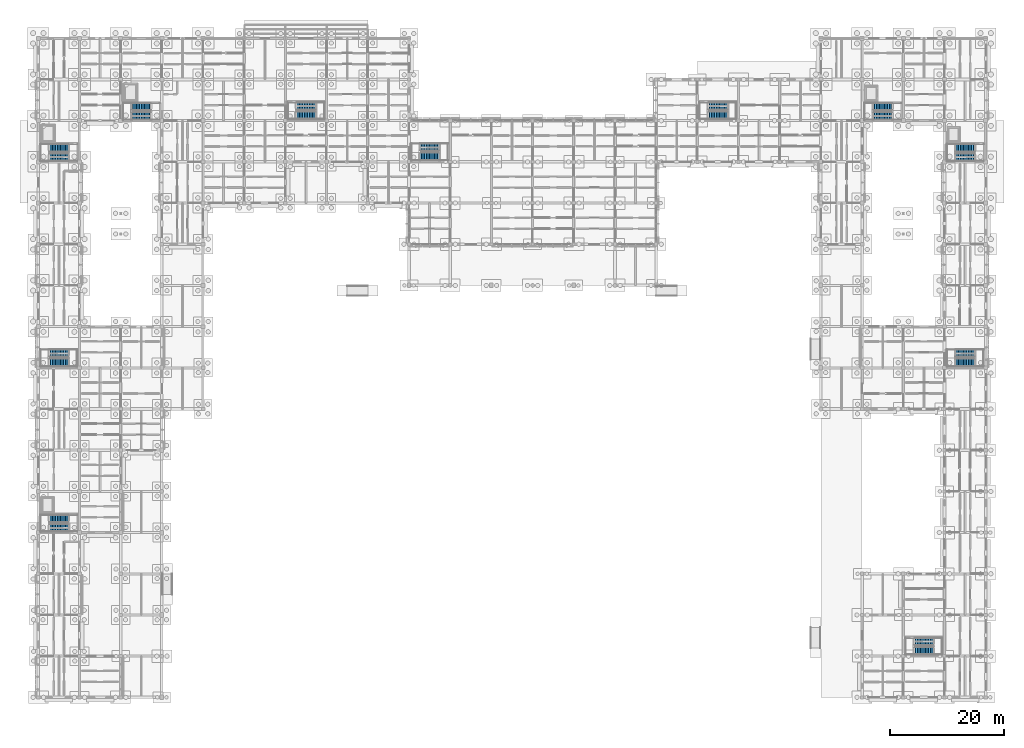
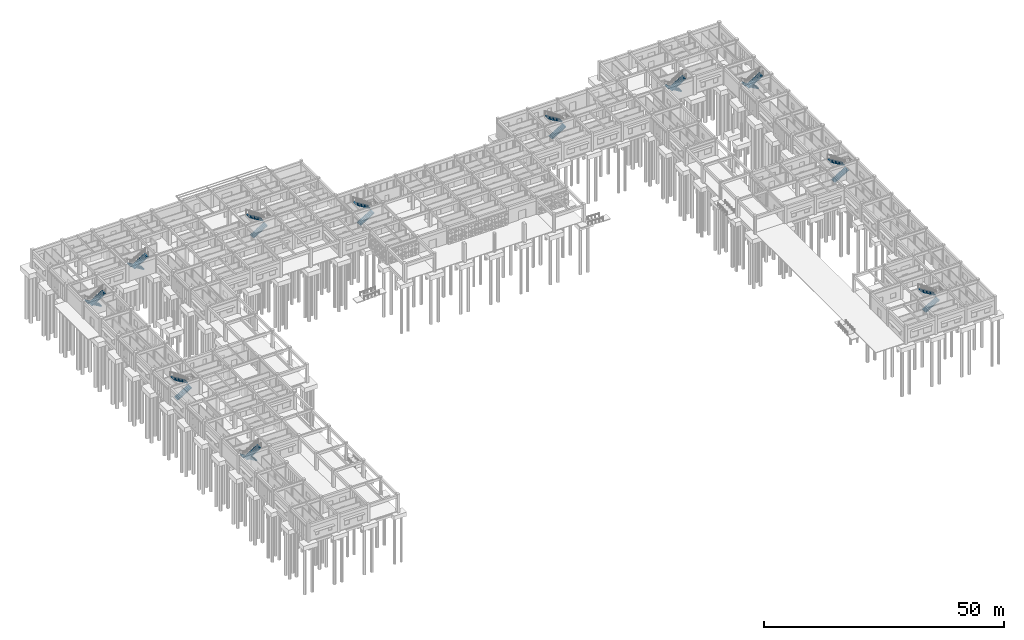
# One storey, part 85 of 111: 22 stair flights, 11 elements without a shape of their own.
"""IFC4 building model written with IfcOpenShell, lengths in metres."""

from ifc_helpers import new_model, si_unit, direction, frame, origin, place, context, subcontext, project, spatial, polyline, outline, extrude, material, type_object, element, aggregate, save


model = new_model("IFC4")

# Units and contexts
model_context = context("Model", 3, precision=1e-05, world=origin(), true_north=direction((0.0, 1.0)))
body_context = subcontext(model_context, "Body", "Model", "MODEL_VIEW")
ifc_project = project(units=[si_unit("LENGTHUNIT", "METRE"), si_unit("AREAUNIT", "SQUARE_METRE"), si_unit("VOLUMEUNIT", "CUBIC_METRE"), si_unit("PLANEANGLEUNIT", "RADIAN"), si_unit("MASSUNIT", "GRAM", prefix="KILO")], contexts=[model_context])

# Site, building, storey
site_placement = place(None, origin())
site = spatial("IfcSite", under=ifc_project, at=site_placement, CompositionType="ELEMENT")
building_placement = place(site_placement, origin())
building = spatial("IfcBuilding", under=site, at=building_placement, Name="Aldebral Square Health Centre", CompositionType="ELEMENT")
storey_placement = place(building_placement, origin())
storey = spatial("IfcBuildingStorey", under=building, at=storey_placement, Name="L00", CompositionType="ELEMENT", Elevation=0.0)

# Stair, stair flights
ifc_material = material(Name="Concrete C35/45", Category="concrete")
stair_type = type_object("IfcStairType", Name="ST-DOG-140", PredefinedType="HALF_TURN_STAIR", material=ifc_material)
stair_1_placement = place(storey_placement, origin())
stair_1 = element("IfcStair", 1, at=stair_1_placement, inside=storey, type_object=stair_type, Name="L00 ST-01", PredefinedType="HALF_TURN_STAIR")
stair_flight_type = type_object("IfcStairFlightType", Name="STF-DOG-140", PredefinedType="STRAIGHT", material=ifc_material)
stair_flight_1_placement = place(storey_placement, frame((5.320068359375, 96.02001953125, 0.0), z_axis=(0.0, 0.0, 1.0), x_axis=(-1.0, 0.0, 0.0)))
stair_flight_1 = element("IfcStairFlight", 2, at=stair_flight_1_placement, type_object=stair_flight_type, Name="ST-01 flight 1", NumberOfRisers=13, NumberOfTreads=12, PredefinedType="STRAIGHT", RiserHeight=0.173076923, TreadLength=0.285, context=body_context, shape_type="SweptSolid", body=[
    extrude(outline(polyline([(0.0, 0.0), (0.0, 0.173095703125), (0.284912109375, 0.173095703125), (0.284912109375, 0.34619140625), (0.570068359375, 0.34619140625), (0.570068359375, 0.519287109375), (0.85498046875, 0.519287109375), (0.85498046875, 0.6923828125), (1.139892578125, 0.6923828125), (1.139892578125, 0.865478515625), (1.425048828125, 0.865478515625), (1.425048828125, 1.03857421875), (1.7099609375, 1.03857421875), (1.7099609375, 1.21142578125), (1.9951171875, 1.21142578125), (1.9951171875, 1.384521484375), (2.280029296875, 1.384521484375), (2.280029296875, 1.5576171875), (2.56494140625, 1.5576171875), (2.56494140625, 1.730712890625), (2.85009765625, 1.730712890625), (2.85009765625, 1.90380859375), (3.135009765625, 1.90380859375), (3.135009765625, 2.076904296875), (3.419921875, 2.076904296875), (3.419921875, 2.25), (3.419921875, 1.889892578125), (0.30810546875, 0.0), (0.0, 0.0)])), frame((0.0, 0.699951171875, 0.0), z_axis=(0.0, -1.0, 0.0), x_axis=(1.0, 0.0, 0.0)), (0.0, 0.0, 1.0), 1.39990234375),
])
stair_flight_2_placement = place(storey_placement, frame((1.89990234375, 94.419921875, 2.25), z_axis=(0.0, 0.0, 1.0), x_axis=(1.0, 0.0, 0.0)))
stair_flight_2 = element("IfcStairFlight", 3, at=stair_flight_2_placement, type_object=stair_flight_type, Name="ST-01 flight 2", NumberOfRisers=13, NumberOfTreads=12, PredefinedType="STRAIGHT", RiserHeight=0.173076923, TreadLength=0.285, context=body_context, shape_type="SweptSolid", body=[
    extrude(outline(polyline([(0.0, 0.0), (0.0, 0.173095703125), (0.284912109375, 0.173095703125), (0.284912109375, 0.34619140625), (0.570068359375, 0.34619140625), (0.570068359375, 0.519287109375), (0.85498046875, 0.519287109375), (0.85498046875, 0.6923828125), (1.139892578125, 0.6923828125), (1.139892578125, 0.865478515625), (1.425048828125, 0.865478515625), (1.425048828125, 1.03857421875), (1.7099609375, 1.03857421875), (1.7099609375, 1.21142578125), (1.9951171875, 1.21142578125), (1.9951171875, 1.384521484375), (2.280029296875, 1.384521484375), (2.280029296875, 1.5576171875), (2.56494140625, 1.5576171875), (2.56494140625, 1.730712890625), (2.85009765625, 1.730712890625), (2.85009765625, 1.90380859375), (3.135009765625, 1.90380859375), (3.135009765625, 2.076904296875), (3.419921875, 2.076904296875), (3.419921875, 2.25), (3.419921875, 1.889892578125), (0.30810546875, 0.0), (0.0, 0.0)])), frame((0.0, 0.699951171875, 0.0), z_axis=(0.0, -1.0, 0.0), x_axis=(1.0, 0.0, 0.0)), (0.0, 0.0, 1.0), 1.39990234375),
])
aggregate(stair_1, [stair_flight_1, stair_flight_2])

stair_2_placement = place(storey_placement, origin())
stair_2 = element("IfcStair", 4, at=stair_2_placement, inside=storey, type_object=stair_type, Name="L00 ST-02", PredefinedType="HALF_TURN_STAIR")
stair_flight_3_placement = place(storey_placement, frame((19.719970703125, 103.219970703125, 0.0), z_axis=(0.0, 0.0, 1.0), x_axis=(-1.0, 0.0, 0.0)))
stair_flight_3 = element("IfcStairFlight", 5, at=stair_flight_3_placement, type_object=stair_flight_type, Name="ST-02 flight 1", NumberOfRisers=13, NumberOfTreads=12, PredefinedType="STRAIGHT", RiserHeight=0.173076923, TreadLength=0.285, context=body_context, shape_type="SweptSolid", body=[
    extrude(outline(polyline([(0.0, 0.0), (0.0, 0.173095703125), (0.284912109375, 0.173095703125), (0.284912109375, 0.34619140625), (0.570068359375, 0.34619140625), (0.570068359375, 0.519287109375), (0.85498046875, 0.519287109375), (0.85498046875, 0.6923828125), (1.139892578125, 0.6923828125), (1.139892578125, 0.865478515625), (1.425048828125, 0.865478515625), (1.425048828125, 1.03857421875), (1.7099609375, 1.03857421875), (1.7099609375, 1.21142578125), (1.9951171875, 1.21142578125), (1.9951171875, 1.384521484375), (2.280029296875, 1.384521484375), (2.280029296875, 1.5576171875), (2.56494140625, 1.5576171875), (2.56494140625, 1.730712890625), (2.85009765625, 1.730712890625), (2.85009765625, 1.90380859375), (3.135009765625, 1.90380859375), (3.135009765625, 2.076904296875), (3.419921875, 2.076904296875), (3.419921875, 2.25), (3.419921875, 1.889892578125), (0.30810546875, 0.0), (0.0, 0.0)])), frame((0.0, 0.699951171875, 0.0), z_axis=(0.0, -1.0, 0.0), x_axis=(1.0, 0.0, 0.0)), (0.0, 0.0, 1.0), 1.39990234375),
])
stair_flight_4_placement = place(storey_placement, frame((16.300048828125, 101.6201171875, 2.25), z_axis=(0.0, 0.0, 1.0), x_axis=(1.0, 0.0, 0.0)))
stair_flight_4 = element("IfcStairFlight", 6, at=stair_flight_4_placement, type_object=stair_flight_type, Name="ST-02 flight 2", NumberOfRisers=13, NumberOfTreads=12, PredefinedType="STRAIGHT", RiserHeight=0.173076923, TreadLength=0.285, context=body_context, shape_type="SweptSolid", body=[
    extrude(outline(polyline([(0.0, 0.0), (0.0, 0.173095703125), (0.284912109375, 0.173095703125), (0.284912109375, 0.34619140625), (0.570068359375, 0.34619140625), (0.570068359375, 0.519287109375), (0.85498046875, 0.519287109375), (0.85498046875, 0.6923828125), (1.139892578125, 0.6923828125), (1.139892578125, 0.865478515625), (1.425048828125, 0.865478515625), (1.425048828125, 1.03857421875), (1.7099609375, 1.03857421875), (1.7099609375, 1.21142578125), (1.9951171875, 1.21142578125), (1.9951171875, 1.384521484375), (2.280029296875, 1.384521484375), (2.280029296875, 1.5576171875), (2.56494140625, 1.5576171875), (2.56494140625, 1.730712890625), (2.85009765625, 1.730712890625), (2.85009765625, 1.90380859375), (3.135009765625, 1.90380859375), (3.135009765625, 2.076904296875), (3.419921875, 2.076904296875), (3.419921875, 2.25), (3.419921875, 1.889892578125), (0.30810546875, 0.0), (0.0, 0.0)])), frame((0.0, 0.699951171875, 0.0), z_axis=(0.0, -1.0, 0.0), x_axis=(1.0, 0.0, 0.0)), (0.0, 0.0, 1.0), 1.39990234375),
])
aggregate(stair_2, [stair_flight_3, stair_flight_4])

stair_3_placement = place(storey_placement, origin())
stair_3 = element("IfcStair", 7, at=stair_3_placement, inside=storey, type_object=stair_type, Name="L00 ST-03", PredefinedType="HALF_TURN_STAIR")
stair_flight_5_placement = place(storey_placement, frame((163.719970703125, 96.02001953125, 0.0), z_axis=(0.0, 0.0, 1.0), x_axis=(-1.0, 0.0, 0.0)))
stair_flight_5 = element("IfcStairFlight", 8, at=stair_flight_5_placement, type_object=stair_flight_type, Name="ST-03 flight 1", NumberOfRisers=13, NumberOfTreads=12, PredefinedType="STRAIGHT", RiserHeight=0.173076923, TreadLength=0.285, context=body_context, shape_type="SweptSolid", body=[
    extrude(outline(polyline([(0.0, 0.0), (0.0, 0.173095703125), (0.284912109375, 0.173095703125), (0.284912109375, 0.34619140625), (0.570068359375, 0.34619140625), (0.570068359375, 0.519287109375), (0.85498046875, 0.519287109375), (0.85498046875, 0.6923828125), (1.139892578125, 0.6923828125), (1.139892578125, 0.865478515625), (1.425048828125, 0.865478515625), (1.425048828125, 1.03857421875), (1.7099609375, 1.03857421875), (1.7099609375, 1.21142578125), (1.9951171875, 1.21142578125), (1.9951171875, 1.384521484375), (2.280029296875, 1.384521484375), (2.280029296875, 1.5576171875), (2.56494140625, 1.5576171875), (2.56494140625, 1.730712890625), (2.85009765625, 1.730712890625), (2.85009765625, 1.90380859375), (3.135009765625, 1.90380859375), (3.135009765625, 2.076904296875), (3.419921875, 2.076904296875), (3.419921875, 2.25), (3.419921875, 1.889892578125), (0.30810546875, 0.0), (0.0, 0.0)])), frame((0.0, 0.699951171875, 0.0), z_axis=(0.0, -1.0, 0.0), x_axis=(1.0, 0.0, 0.0)), (0.0, 0.0, 1.0), 1.39990234375),
])
stair_flight_6_placement = place(storey_placement, frame((160.300048828125, 94.419921875, 2.25), z_axis=(0.0, 0.0, 1.0), x_axis=(1.0, 0.0, 0.0)))
stair_flight_6 = element("IfcStairFlight", 9, at=stair_flight_6_placement, type_object=stair_flight_type, Name="ST-03 flight 2", NumberOfRisers=13, NumberOfTreads=12, PredefinedType="STRAIGHT", RiserHeight=0.173076923, TreadLength=0.285, context=body_context, shape_type="SweptSolid", body=[
    extrude(outline(polyline([(0.0, 0.0), (0.0, 0.173095703125), (0.284912109375, 0.173095703125), (0.284912109375, 0.34619140625), (0.570068359375, 0.34619140625), (0.570068359375, 0.519287109375), (0.85498046875, 0.519287109375), (0.85498046875, 0.6923828125), (1.139892578125, 0.6923828125), (1.139892578125, 0.865478515625), (1.425048828125, 0.865478515625), (1.425048828125, 1.03857421875), (1.7099609375, 1.03857421875), (1.7099609375, 1.21142578125), (1.9951171875, 1.21142578125), (1.9951171875, 1.384521484375), (2.280029296875, 1.384521484375), (2.280029296875, 1.5576171875), (2.56494140625, 1.5576171875), (2.56494140625, 1.730712890625), (2.85009765625, 1.730712890625), (2.85009765625, 1.90380859375), (3.135009765625, 1.90380859375), (3.135009765625, 2.076904296875), (3.419921875, 2.076904296875), (3.419921875, 2.25), (3.419921875, 1.889892578125), (0.30810546875, 0.0), (0.0, 0.0)])), frame((0.0, 0.699951171875, 0.0), z_axis=(0.0, -1.0, 0.0), x_axis=(1.0, 0.0, 0.0)), (0.0, 0.0, 1.0), 1.39990234375),
])
aggregate(stair_3, [stair_flight_5, stair_flight_6])

stair_4_placement = place(storey_placement, origin())
stair_4 = element("IfcStair", 10, at=stair_4_placement, inside=storey, type_object=stair_type, Name="L00 ST-04", PredefinedType="HALF_TURN_STAIR")
stair_flight_7_placement = place(storey_placement, frame((149.320068359375, 103.219970703125, 0.0), z_axis=(0.0, 0.0, 1.0), x_axis=(-1.0, 0.0, 0.0)))
stair_flight_7 = element("IfcStairFlight", 11, at=stair_flight_7_placement, type_object=stair_flight_type, Name="ST-04 flight 1", NumberOfRisers=13, NumberOfTreads=12, PredefinedType="STRAIGHT", RiserHeight=0.173076923, TreadLength=0.285, context=body_context, shape_type="SweptSolid", body=[
    extrude(outline(polyline([(0.0, 0.0), (0.0, 0.173095703125), (0.284912109375, 0.173095703125), (0.284912109375, 0.34619140625), (0.570068359375, 0.34619140625), (0.570068359375, 0.519287109375), (0.85498046875, 0.519287109375), (0.85498046875, 0.6923828125), (1.139892578125, 0.6923828125), (1.139892578125, 0.865478515625), (1.425048828125, 0.865478515625), (1.425048828125, 1.03857421875), (1.7099609375, 1.03857421875), (1.7099609375, 1.21142578125), (1.9951171875, 1.21142578125), (1.9951171875, 1.384521484375), (2.280029296875, 1.384521484375), (2.280029296875, 1.5576171875), (2.56494140625, 1.5576171875), (2.56494140625, 1.730712890625), (2.85009765625, 1.730712890625), (2.85009765625, 1.90380859375), (3.135009765625, 1.90380859375), (3.135009765625, 2.076904296875), (3.419921875, 2.076904296875), (3.419921875, 2.25), (3.419921875, 1.889892578125), (0.30810546875, 0.0), (0.0, 0.0)])), frame((0.0, 0.699951171875, 0.0), z_axis=(0.0, -1.0, 0.0), x_axis=(1.0, 0.0, 0.0)), (0.0, 0.0, 1.0), 1.39990234375),
])
stair_flight_8_placement = place(storey_placement, frame((145.89990234375, 101.6201171875, 2.25), z_axis=(0.0, 0.0, 1.0), x_axis=(1.0, 0.0, 0.0)))
stair_flight_8 = element("IfcStairFlight", 12, at=stair_flight_8_placement, type_object=stair_flight_type, Name="ST-04 flight 2", NumberOfRisers=13, NumberOfTreads=12, PredefinedType="STRAIGHT", RiserHeight=0.173076923, TreadLength=0.285, context=body_context, shape_type="SweptSolid", body=[
    extrude(outline(polyline([(0.0, 0.0), (0.0, 0.173095703125), (0.284912109375, 0.173095703125), (0.284912109375, 0.34619140625), (0.570068359375, 0.34619140625), (0.570068359375, 0.519287109375), (0.85498046875, 0.519287109375), (0.85498046875, 0.6923828125), (1.139892578125, 0.6923828125), (1.139892578125, 0.865478515625), (1.425048828125, 0.865478515625), (1.425048828125, 1.03857421875), (1.7099609375, 1.03857421875), (1.7099609375, 1.21142578125), (1.9951171875, 1.21142578125), (1.9951171875, 1.384521484375), (2.280029296875, 1.384521484375), (2.280029296875, 1.5576171875), (2.56494140625, 1.5576171875), (2.56494140625, 1.730712890625), (2.85009765625, 1.730712890625), (2.85009765625, 1.90380859375), (3.135009765625, 1.90380859375), (3.135009765625, 2.076904296875), (3.419921875, 2.076904296875), (3.419921875, 2.25), (3.419921875, 1.889892578125), (0.30810546875, 0.0), (0.0, 0.0)])), frame((0.0, 0.699951171875, 0.0), z_axis=(0.0, -1.0, 0.0), x_axis=(1.0, 0.0, 0.0)), (0.0, 0.0, 1.0), 1.39990234375),
])
aggregate(stair_4, [stair_flight_7, stair_flight_8])

stair_5_placement = place(storey_placement, origin())
stair_5 = element("IfcStair", 13, at=stair_5_placement, inside=storey, type_object=stair_type, Name="L00 ST-05", PredefinedType="HALF_TURN_STAIR")
stair_flight_9_placement = place(storey_placement, frame((5.320068359375, 31.219970703125, 0.0), z_axis=(0.0, 0.0, 1.0), x_axis=(-1.0, 0.0, 0.0)))
stair_flight_9 = element("IfcStairFlight", 14, at=stair_flight_9_placement, type_object=stair_flight_type, Name="ST-05 flight 1", NumberOfRisers=13, NumberOfTreads=12, PredefinedType="STRAIGHT", RiserHeight=0.173076923, TreadLength=0.285, context=body_context, shape_type="SweptSolid", body=[
    extrude(outline(polyline([(0.0, 0.0), (0.0, 0.173095703125), (0.284912109375, 0.173095703125), (0.284912109375, 0.34619140625), (0.570068359375, 0.34619140625), (0.570068359375, 0.519287109375), (0.85498046875, 0.519287109375), (0.85498046875, 0.6923828125), (1.139892578125, 0.6923828125), (1.139892578125, 0.865478515625), (1.425048828125, 0.865478515625), (1.425048828125, 1.03857421875), (1.7099609375, 1.03857421875), (1.7099609375, 1.21142578125), (1.9951171875, 1.21142578125), (1.9951171875, 1.384521484375), (2.280029296875, 1.384521484375), (2.280029296875, 1.5576171875), (2.56494140625, 1.5576171875), (2.56494140625, 1.730712890625), (2.85009765625, 1.730712890625), (2.85009765625, 1.90380859375), (3.135009765625, 1.90380859375), (3.135009765625, 2.076904296875), (3.419921875, 2.076904296875), (3.419921875, 2.25), (3.419921875, 1.889892578125), (0.30810546875, 0.0), (0.0, 0.0)])), frame((0.0, 0.699951171875, 0.0), z_axis=(0.0, -1.0, 0.0), x_axis=(1.0, 0.0, 0.0)), (0.0, 0.0, 1.0), 1.39990234375),
])
stair_flight_10_placement = place(storey_placement, frame((1.89990234375, 29.6201171875, 2.25), z_axis=(0.0, 0.0, 1.0), x_axis=(1.0, 0.0, 0.0)))
stair_flight_10 = element("IfcStairFlight", 15, at=stair_flight_10_placement, type_object=stair_flight_type, Name="ST-05 flight 2", NumberOfRisers=13, NumberOfTreads=12, PredefinedType="STRAIGHT", RiserHeight=0.173076923, TreadLength=0.285, context=body_context, shape_type="SweptSolid", body=[
    extrude(outline(polyline([(0.0, 0.0), (0.0, 0.173095703125), (0.284912109375, 0.173095703125), (0.284912109375, 0.34619140625), (0.570068359375, 0.34619140625), (0.570068359375, 0.519287109375), (0.85498046875, 0.519287109375), (0.85498046875, 0.6923828125), (1.139892578125, 0.6923828125), (1.139892578125, 0.865478515625), (1.425048828125, 0.865478515625), (1.425048828125, 1.03857421875), (1.7099609375, 1.03857421875), (1.7099609375, 1.21142578125), (1.9951171875, 1.21142578125), (1.9951171875, 1.384521484375), (2.280029296875, 1.384521484375), (2.280029296875, 1.5576171875), (2.56494140625, 1.5576171875), (2.56494140625, 1.730712890625), (2.85009765625, 1.730712890625), (2.85009765625, 1.90380859375), (3.135009765625, 1.90380859375), (3.135009765625, 2.076904296875), (3.419921875, 2.076904296875), (3.419921875, 2.25), (3.419921875, 1.889892578125), (0.30810546875, 0.0), (0.0, 0.0)])), frame((0.0, 0.699951171875, 0.0), z_axis=(0.0, -1.0, 0.0), x_axis=(1.0, 0.0, 0.0)), (0.0, 0.0, 1.0), 1.39990234375),
])
aggregate(stair_5, [stair_flight_9, stair_flight_10])

stair_6_placement = place(storey_placement, origin())
stair_6 = element("IfcStair", 16, at=stair_6_placement, inside=storey, type_object=stair_type, Name="L00 ST-06", PredefinedType="HALF_TURN_STAIR")
stair_flight_11_placement = place(storey_placement, frame((45.080078125, 101.739990234375, 0.0), z_axis=(0.0, 0.0, 1.0), x_axis=(1.0, 0.0, 0.0)))
stair_flight_11 = element("IfcStairFlight", 17, at=stair_flight_11_placement, type_object=stair_flight_type, Name="ST-06 flight 1", NumberOfRisers=13, NumberOfTreads=12, PredefinedType="STRAIGHT", RiserHeight=0.173076923, TreadLength=0.285, context=body_context, shape_type="SweptSolid", body=[
    extrude(outline(polyline([(0.0, 0.0), (0.0, 0.173095703125), (0.284912109375, 0.173095703125), (0.284912109375, 0.34619140625), (0.570068359375, 0.34619140625), (0.570068359375, 0.519287109375), (0.85498046875, 0.519287109375), (0.85498046875, 0.6923828125), (1.139892578125, 0.6923828125), (1.139892578125, 0.865478515625), (1.425048828125, 0.865478515625), (1.425048828125, 1.03857421875), (1.7099609375, 1.03857421875), (1.7099609375, 1.21142578125), (1.9951171875, 1.21142578125), (1.9951171875, 1.384521484375), (2.280029296875, 1.384521484375), (2.280029296875, 1.5576171875), (2.56494140625, 1.5576171875), (2.56494140625, 1.730712890625), (2.85009765625, 1.730712890625), (2.85009765625, 1.90380859375), (3.135009765625, 1.90380859375), (3.135009765625, 2.076904296875), (3.419921875, 2.076904296875), (3.419921875, 2.25), (3.419921875, 1.889892578125), (0.30810546875, 0.0), (0.0, 0.0)])), frame((0.0, 0.699951171875, 0.0), z_axis=(0.0, -1.0, 0.0), x_axis=(1.0, 0.0, 0.0)), (0.0, 0.0, 1.0), 1.39990234375),
])
stair_flight_12_placement = place(storey_placement, frame((48.5, 103.340087890625, 2.25), z_axis=(0.0, 0.0, 1.0), x_axis=(-1.0, 0.0, 0.0)))
stair_flight_12 = element("IfcStairFlight", 18, at=stair_flight_12_placement, type_object=stair_flight_type, Name="ST-06 flight 2", NumberOfRisers=13, NumberOfTreads=12, PredefinedType="STRAIGHT", RiserHeight=0.173076923, TreadLength=0.285, context=body_context, shape_type="SweptSolid", body=[
    extrude(outline(polyline([(0.0, 0.0), (0.0, 0.173095703125), (0.284912109375, 0.173095703125), (0.284912109375, 0.34619140625), (0.570068359375, 0.34619140625), (0.570068359375, 0.519287109375), (0.85498046875, 0.519287109375), (0.85498046875, 0.6923828125), (1.139892578125, 0.6923828125), (1.139892578125, 0.865478515625), (1.425048828125, 0.865478515625), (1.425048828125, 1.03857421875), (1.7099609375, 1.03857421875), (1.7099609375, 1.21142578125), (1.9951171875, 1.21142578125), (1.9951171875, 1.384521484375), (2.280029296875, 1.384521484375), (2.280029296875, 1.5576171875), (2.56494140625, 1.5576171875), (2.56494140625, 1.730712890625), (2.85009765625, 1.730712890625), (2.85009765625, 1.90380859375), (3.135009765625, 1.90380859375), (3.135009765625, 2.076904296875), (3.419921875, 2.076904296875), (3.419921875, 2.25), (3.419921875, 1.889892578125), (0.30810546875, 0.0), (0.0, 0.0)])), frame((0.0, 0.699951171875, 0.0), z_axis=(0.0, -1.0, 0.0), x_axis=(1.0, 0.0, 0.0)), (0.0, 0.0, 1.0), 1.39990234375),
])
aggregate(stair_6, [stair_flight_11, stair_flight_12])

stair_7_placement = place(storey_placement, origin())
stair_7 = element("IfcStair", 19, at=stair_7_placement, inside=storey, type_object=stair_type, Name="L00 ST-07", PredefinedType="HALF_TURN_STAIR")
stair_flight_13_placement = place(storey_placement, frame((66.679931640625, 94.5400390625, 0.0), z_axis=(0.0, 0.0, 1.0), x_axis=(1.0, 0.0, 0.0)))
stair_flight_13 = element("IfcStairFlight", 20, at=stair_flight_13_placement, type_object=stair_flight_type, Name="ST-07 flight 1", NumberOfRisers=13, NumberOfTreads=12, PredefinedType="STRAIGHT", RiserHeight=0.173076923, TreadLength=0.285, context=body_context, shape_type="SweptSolid", body=[
    extrude(outline(polyline([(0.0, 0.0), (0.0, 0.173095703125), (0.284912109375, 0.173095703125), (0.284912109375, 0.34619140625), (0.570068359375, 0.34619140625), (0.570068359375, 0.519287109375), (0.85498046875, 0.519287109375), (0.85498046875, 0.6923828125), (1.139892578125, 0.6923828125), (1.139892578125, 0.865478515625), (1.425048828125, 0.865478515625), (1.425048828125, 1.03857421875), (1.7099609375, 1.03857421875), (1.7099609375, 1.21142578125), (1.9951171875, 1.21142578125), (1.9951171875, 1.384521484375), (2.280029296875, 1.384521484375), (2.280029296875, 1.5576171875), (2.56494140625, 1.5576171875), (2.56494140625, 1.730712890625), (2.85009765625, 1.730712890625), (2.85009765625, 1.90380859375), (3.135009765625, 1.90380859375), (3.135009765625, 2.076904296875), (3.419921875, 2.076904296875), (3.419921875, 2.25), (3.419921875, 1.889892578125), (0.30810546875, 0.0), (0.0, 0.0)])), frame((0.0, 0.699951171875, 0.0), z_axis=(0.0, -1.0, 0.0), x_axis=(1.0, 0.0, 0.0)), (0.0, 0.0, 1.0), 1.39990234375),
])
stair_flight_14_placement = place(storey_placement, frame((70.10009765625, 96.139892578125, 2.25), z_axis=(0.0, 0.0, 1.0), x_axis=(-1.0, 0.0, 0.0)))
stair_flight_14 = element("IfcStairFlight", 21, at=stair_flight_14_placement, type_object=stair_flight_type, Name="ST-07 flight 2", NumberOfRisers=13, NumberOfTreads=12, PredefinedType="STRAIGHT", RiserHeight=0.173076923, TreadLength=0.285, context=body_context, shape_type="SweptSolid", body=[
    extrude(outline(polyline([(0.0, 0.0), (0.0, 0.173095703125), (0.284912109375, 0.173095703125), (0.284912109375, 0.34619140625), (0.570068359375, 0.34619140625), (0.570068359375, 0.519287109375), (0.85498046875, 0.519287109375), (0.85498046875, 0.6923828125), (1.139892578125, 0.6923828125), (1.139892578125, 0.865478515625), (1.425048828125, 0.865478515625), (1.425048828125, 1.03857421875), (1.7099609375, 1.03857421875), (1.7099609375, 1.21142578125), (1.9951171875, 1.21142578125), (1.9951171875, 1.384521484375), (2.280029296875, 1.384521484375), (2.280029296875, 1.5576171875), (2.56494140625, 1.5576171875), (2.56494140625, 1.730712890625), (2.85009765625, 1.730712890625), (2.85009765625, 1.90380859375), (3.135009765625, 1.90380859375), (3.135009765625, 2.076904296875), (3.419921875, 2.076904296875), (3.419921875, 2.25), (3.419921875, 1.889892578125), (0.30810546875, 0.0), (0.0, 0.0)])), frame((0.0, 0.699951171875, 0.0), z_axis=(0.0, -1.0, 0.0), x_axis=(1.0, 0.0, 0.0)), (0.0, 0.0, 1.0), 1.39990234375),
])
aggregate(stair_7, [stair_flight_13, stair_flight_14])

stair_8_placement = place(storey_placement, origin())
stair_8 = element("IfcStair", 22, at=stair_8_placement, inside=storey, type_object=stair_type, Name="L00 ST-08", PredefinedType="HALF_TURN_STAIR")
stair_flight_15_placement = place(storey_placement, frame((153.080078125, 8.139892578125, 0.0), z_axis=(0.0, 0.0, 1.0), x_axis=(1.0, 0.0, 0.0)))
stair_flight_15 = element("IfcStairFlight", 23, at=stair_flight_15_placement, type_object=stair_flight_type, Name="ST-08 flight 1", NumberOfRisers=13, NumberOfTreads=12, PredefinedType="STRAIGHT", RiserHeight=0.173076923, TreadLength=0.285, context=body_context, shape_type="SweptSolid", body=[
    extrude(outline(polyline([(0.0, 0.0), (0.0, 0.173095703125), (0.284912109375, 0.173095703125), (0.284912109375, 0.34619140625), (0.570068359375, 0.34619140625), (0.570068359375, 0.519287109375), (0.85498046875, 0.519287109375), (0.85498046875, 0.6923828125), (1.139892578125, 0.6923828125), (1.139892578125, 0.865478515625), (1.425048828125, 0.865478515625), (1.425048828125, 1.03857421875), (1.7099609375, 1.03857421875), (1.7099609375, 1.21142578125), (1.9951171875, 1.21142578125), (1.9951171875, 1.384521484375), (2.280029296875, 1.384521484375), (2.280029296875, 1.5576171875), (2.56494140625, 1.5576171875), (2.56494140625, 1.730712890625), (2.85009765625, 1.730712890625), (2.85009765625, 1.90380859375), (3.135009765625, 1.90380859375), (3.135009765625, 2.076904296875), (3.419921875, 2.076904296875), (3.419921875, 2.25), (3.419921875, 1.889892578125), (0.30810546875, 0.0), (0.0, 0.0)])), frame((0.0, 0.699951171875, 0.0), z_axis=(0.0, -1.0, 0.0), x_axis=(1.0, 0.0, 0.0)), (0.0, 0.0, 1.0), 1.39990234375),
])
stair_flight_16_placement = place(storey_placement, frame((156.5, 9.739990234375, 2.25), z_axis=(0.0, 0.0, 1.0), x_axis=(-1.0, 0.0, 0.0)))
stair_flight_16 = element("IfcStairFlight", 24, at=stair_flight_16_placement, type_object=stair_flight_type, Name="ST-08 flight 2", NumberOfRisers=13, NumberOfTreads=12, PredefinedType="STRAIGHT", RiserHeight=0.173076923, TreadLength=0.285, context=body_context, shape_type="SweptSolid", body=[
    extrude(outline(polyline([(0.0, 0.0), (0.0, 0.173095703125), (0.284912109375, 0.173095703125), (0.284912109375, 0.34619140625), (0.570068359375, 0.34619140625), (0.570068359375, 0.519287109375), (0.85498046875, 0.519287109375), (0.85498046875, 0.6923828125), (1.139892578125, 0.6923828125), (1.139892578125, 0.865478515625), (1.425048828125, 0.865478515625), (1.425048828125, 1.03857421875), (1.7099609375, 1.03857421875), (1.7099609375, 1.21142578125), (1.9951171875, 1.21142578125), (1.9951171875, 1.384521484375), (2.280029296875, 1.384521484375), (2.280029296875, 1.5576171875), (2.56494140625, 1.5576171875), (2.56494140625, 1.730712890625), (2.85009765625, 1.730712890625), (2.85009765625, 1.90380859375), (3.135009765625, 1.90380859375), (3.135009765625, 2.076904296875), (3.419921875, 2.076904296875), (3.419921875, 2.25), (3.419921875, 1.889892578125), (0.30810546875, 0.0), (0.0, 0.0)])), frame((0.0, 0.699951171875, 0.0), z_axis=(0.0, -1.0, 0.0), x_axis=(1.0, 0.0, 0.0)), (0.0, 0.0, 1.0), 1.39990234375),
])
aggregate(stair_8, [stair_flight_15, stair_flight_16])

stair_9_placement = place(storey_placement, origin())
stair_9 = element("IfcStair", 25, at=stair_9_placement, inside=storey, type_object=stair_type, Name="L00 ST-09", PredefinedType="HALF_TURN_STAIR")
stair_flight_17_placement = place(storey_placement, frame((160.280029296875, 58.5400390625, 0.0), z_axis=(0.0, 0.0, 1.0), x_axis=(1.0, 0.0, 0.0)))
stair_flight_17 = element("IfcStairFlight", 26, at=stair_flight_17_placement, type_object=stair_flight_type, Name="ST-09 flight 1", NumberOfRisers=13, NumberOfTreads=12, PredefinedType="STRAIGHT", RiserHeight=0.173076923, TreadLength=0.285, context=body_context, shape_type="SweptSolid", body=[
    extrude(outline(polyline([(0.0, 0.0), (0.0, 0.173095703125), (0.284912109375, 0.173095703125), (0.284912109375, 0.34619140625), (0.570068359375, 0.34619140625), (0.570068359375, 0.519287109375), (0.85498046875, 0.519287109375), (0.85498046875, 0.6923828125), (1.139892578125, 0.6923828125), (1.139892578125, 0.865478515625), (1.425048828125, 0.865478515625), (1.425048828125, 1.03857421875), (1.7099609375, 1.03857421875), (1.7099609375, 1.21142578125), (1.9951171875, 1.21142578125), (1.9951171875, 1.384521484375), (2.280029296875, 1.384521484375), (2.280029296875, 1.5576171875), (2.56494140625, 1.5576171875), (2.56494140625, 1.730712890625), (2.85009765625, 1.730712890625), (2.85009765625, 1.90380859375), (3.135009765625, 1.90380859375), (3.135009765625, 2.076904296875), (3.419921875, 2.076904296875), (3.419921875, 2.25), (3.419921875, 1.889892578125), (0.30810546875, 0.0), (0.0, 0.0)])), frame((0.0, 0.699951171875, 0.0), z_axis=(0.0, -1.0, 0.0), x_axis=(1.0, 0.0, 0.0)), (0.0, 0.0, 1.0), 1.39990234375),
])
stair_flight_18_placement = place(storey_placement, frame((163.699951171875, 60.139892578125, 2.25), z_axis=(0.0, 0.0, 1.0), x_axis=(-1.0, 0.0, 0.0)))
stair_flight_18 = element("IfcStairFlight", 27, at=stair_flight_18_placement, type_object=stair_flight_type, Name="ST-09 flight 2", NumberOfRisers=13, NumberOfTreads=12, PredefinedType="STRAIGHT", RiserHeight=0.173076923, TreadLength=0.285, context=body_context, shape_type="SweptSolid", body=[
    extrude(outline(polyline([(0.0, 0.0), (0.0, 0.173095703125), (0.284912109375, 0.173095703125), (0.284912109375, 0.34619140625), (0.570068359375, 0.34619140625), (0.570068359375, 0.519287109375), (0.85498046875, 0.519287109375), (0.85498046875, 0.6923828125), (1.139892578125, 0.6923828125), (1.139892578125, 0.865478515625), (1.425048828125, 0.865478515625), (1.425048828125, 1.03857421875), (1.7099609375, 1.03857421875), (1.7099609375, 1.21142578125), (1.9951171875, 1.21142578125), (1.9951171875, 1.384521484375), (2.280029296875, 1.384521484375), (2.280029296875, 1.5576171875), (2.56494140625, 1.5576171875), (2.56494140625, 1.730712890625), (2.85009765625, 1.730712890625), (2.85009765625, 1.90380859375), (3.135009765625, 1.90380859375), (3.135009765625, 2.076904296875), (3.419921875, 2.076904296875), (3.419921875, 2.25), (3.419921875, 1.889892578125), (0.30810546875, 0.0), (0.0, 0.0)])), frame((0.0, 0.699951171875, 0.0), z_axis=(0.0, -1.0, 0.0), x_axis=(1.0, 0.0, 0.0)), (0.0, 0.0, 1.0), 1.39990234375),
])
aggregate(stair_9, [stair_flight_17, stair_flight_18])

stair_10_placement = place(storey_placement, origin())
stair_10 = element("IfcStair", 28, at=stair_10_placement, inside=storey, type_object=stair_type, Name="L00 ST-10", PredefinedType="HALF_TURN_STAIR")
stair_flight_19_placement = place(storey_placement, frame((117.080078125, 101.739990234375, 0.0), z_axis=(0.0, 0.0, 1.0), x_axis=(1.0, 0.0, 0.0)))
stair_flight_19 = element("IfcStairFlight", 29, at=stair_flight_19_placement, type_object=stair_flight_type, Name="ST-10 flight 1", NumberOfRisers=13, NumberOfTreads=12, PredefinedType="STRAIGHT", RiserHeight=0.173076923, TreadLength=0.285, context=body_context, shape_type="SweptSolid", body=[
    extrude(outline(polyline([(0.0, 0.0), (0.0, 0.173095703125), (0.284912109375, 0.173095703125), (0.284912109375, 0.34619140625), (0.570068359375, 0.34619140625), (0.570068359375, 0.519287109375), (0.85498046875, 0.519287109375), (0.85498046875, 0.6923828125), (1.139892578125, 0.6923828125), (1.139892578125, 0.865478515625), (1.425048828125, 0.865478515625), (1.425048828125, 1.03857421875), (1.7099609375, 1.03857421875), (1.7099609375, 1.21142578125), (1.9951171875, 1.21142578125), (1.9951171875, 1.384521484375), (2.280029296875, 1.384521484375), (2.280029296875, 1.5576171875), (2.56494140625, 1.5576171875), (2.56494140625, 1.730712890625), (2.85009765625, 1.730712890625), (2.85009765625, 1.90380859375), (3.135009765625, 1.90380859375), (3.135009765625, 2.076904296875), (3.419921875, 2.076904296875), (3.419921875, 2.25), (3.419921875, 1.889892578125), (0.30810546875, 0.0), (0.0, 0.0)])), frame((0.0, 0.699951171875, 0.0), z_axis=(0.0, -1.0, 0.0), x_axis=(1.0, 0.0, 0.0)), (0.0, 0.0, 1.0), 1.39990234375),
])
stair_flight_20_placement = place(storey_placement, frame((120.5, 103.340087890625, 2.25), z_axis=(0.0, 0.0, 1.0), x_axis=(-1.0, 0.0, 0.0)))
stair_flight_20 = element("IfcStairFlight", 30, at=stair_flight_20_placement, type_object=stair_flight_type, Name="ST-10 flight 2", NumberOfRisers=13, NumberOfTreads=12, PredefinedType="STRAIGHT", RiserHeight=0.173076923, TreadLength=0.285, context=body_context, shape_type="SweptSolid", body=[
    extrude(outline(polyline([(0.0, 0.0), (0.0, 0.173095703125), (0.284912109375, 0.173095703125), (0.284912109375, 0.34619140625), (0.570068359375, 0.34619140625), (0.570068359375, 0.519287109375), (0.85498046875, 0.519287109375), (0.85498046875, 0.6923828125), (1.139892578125, 0.6923828125), (1.139892578125, 0.865478515625), (1.425048828125, 0.865478515625), (1.425048828125, 1.03857421875), (1.7099609375, 1.03857421875), (1.7099609375, 1.21142578125), (1.9951171875, 1.21142578125), (1.9951171875, 1.384521484375), (2.280029296875, 1.384521484375), (2.280029296875, 1.5576171875), (2.56494140625, 1.5576171875), (2.56494140625, 1.730712890625), (2.85009765625, 1.730712890625), (2.85009765625, 1.90380859375), (3.135009765625, 1.90380859375), (3.135009765625, 2.076904296875), (3.419921875, 2.076904296875), (3.419921875, 2.25), (3.419921875, 1.889892578125), (0.30810546875, 0.0), (0.0, 0.0)])), frame((0.0, 0.699951171875, 0.0), z_axis=(0.0, -1.0, 0.0), x_axis=(1.0, 0.0, 0.0)), (0.0, 0.0, 1.0), 1.39990234375),
])
aggregate(stair_10, [stair_flight_19, stair_flight_20])

stair_11_placement = place(storey_placement, origin())
stair_11 = element("IfcStair", 31, at=stair_11_placement, inside=storey, type_object=stair_type, Name="L00 ST-11", PredefinedType="HALF_TURN_STAIR")
stair_flight_21_placement = place(storey_placement, frame((1.8798828125, 58.5400390625, 0.0), z_axis=(0.0, 0.0, 1.0), x_axis=(1.0, 0.0, 0.0)))
stair_flight_21 = element("IfcStairFlight", 32, at=stair_flight_21_placement, type_object=stair_flight_type, Name="ST-11 flight 1", NumberOfRisers=13, NumberOfTreads=12, PredefinedType="STRAIGHT", RiserHeight=0.173076923, TreadLength=0.285, context=body_context, shape_type="SweptSolid", body=[
    extrude(outline(polyline([(0.0, 0.0), (0.0, 0.173095703125), (0.284912109375, 0.173095703125), (0.284912109375, 0.34619140625), (0.570068359375, 0.34619140625), (0.570068359375, 0.519287109375), (0.85498046875, 0.519287109375), (0.85498046875, 0.6923828125), (1.139892578125, 0.6923828125), (1.139892578125, 0.865478515625), (1.425048828125, 0.865478515625), (1.425048828125, 1.03857421875), (1.7099609375, 1.03857421875), (1.7099609375, 1.21142578125), (1.9951171875, 1.21142578125), (1.9951171875, 1.384521484375), (2.280029296875, 1.384521484375), (2.280029296875, 1.5576171875), (2.56494140625, 1.5576171875), (2.56494140625, 1.730712890625), (2.85009765625, 1.730712890625), (2.85009765625, 1.90380859375), (3.135009765625, 1.90380859375), (3.135009765625, 2.076904296875), (3.419921875, 2.076904296875), (3.419921875, 2.25), (3.419921875, 1.889892578125), (0.30810546875, 0.0), (0.0, 0.0)])), frame((0.0, 0.699951171875, 0.0), z_axis=(0.0, -1.0, 0.0), x_axis=(1.0, 0.0, 0.0)), (0.0, 0.0, 1.0), 1.39990234375),
])
stair_flight_22_placement = place(storey_placement, frame((5.300048828125, 60.139892578125, 2.25), z_axis=(0.0, 0.0, 1.0), x_axis=(-1.0, 0.0, 0.0)))
stair_flight_22 = element("IfcStairFlight", 33, at=stair_flight_22_placement, type_object=stair_flight_type, Name="ST-11 flight 2", NumberOfRisers=13, NumberOfTreads=12, PredefinedType="STRAIGHT", RiserHeight=0.173076923, TreadLength=0.285, context=body_context, shape_type="SweptSolid", body=[
    extrude(outline(polyline([(0.0, 0.0), (0.0, 0.173095703125), (0.284912109375, 0.173095703125), (0.284912109375, 0.34619140625), (0.570068359375, 0.34619140625), (0.570068359375, 0.519287109375), (0.85498046875, 0.519287109375), (0.85498046875, 0.6923828125), (1.139892578125, 0.6923828125), (1.139892578125, 0.865478515625), (1.425048828125, 0.865478515625), (1.425048828125, 1.03857421875), (1.7099609375, 1.03857421875), (1.7099609375, 1.21142578125), (1.9951171875, 1.21142578125), (1.9951171875, 1.384521484375), (2.280029296875, 1.384521484375), (2.280029296875, 1.5576171875), (2.56494140625, 1.5576171875), (2.56494140625, 1.730712890625), (2.85009765625, 1.730712890625), (2.85009765625, 1.90380859375), (3.135009765625, 1.90380859375), (3.135009765625, 2.076904296875), (3.419921875, 2.076904296875), (3.419921875, 2.25), (3.419921875, 1.889892578125), (0.30810546875, 0.0), (0.0, 0.0)])), frame((0.0, 0.699951171875, 0.0), z_axis=(0.0, -1.0, 0.0), x_axis=(1.0, 0.0, 0.0)), (0.0, 0.0, 1.0), 1.39990234375),
])
aggregate(stair_11, [stair_flight_21, stair_flight_22])

save(model, "model.ifc")
